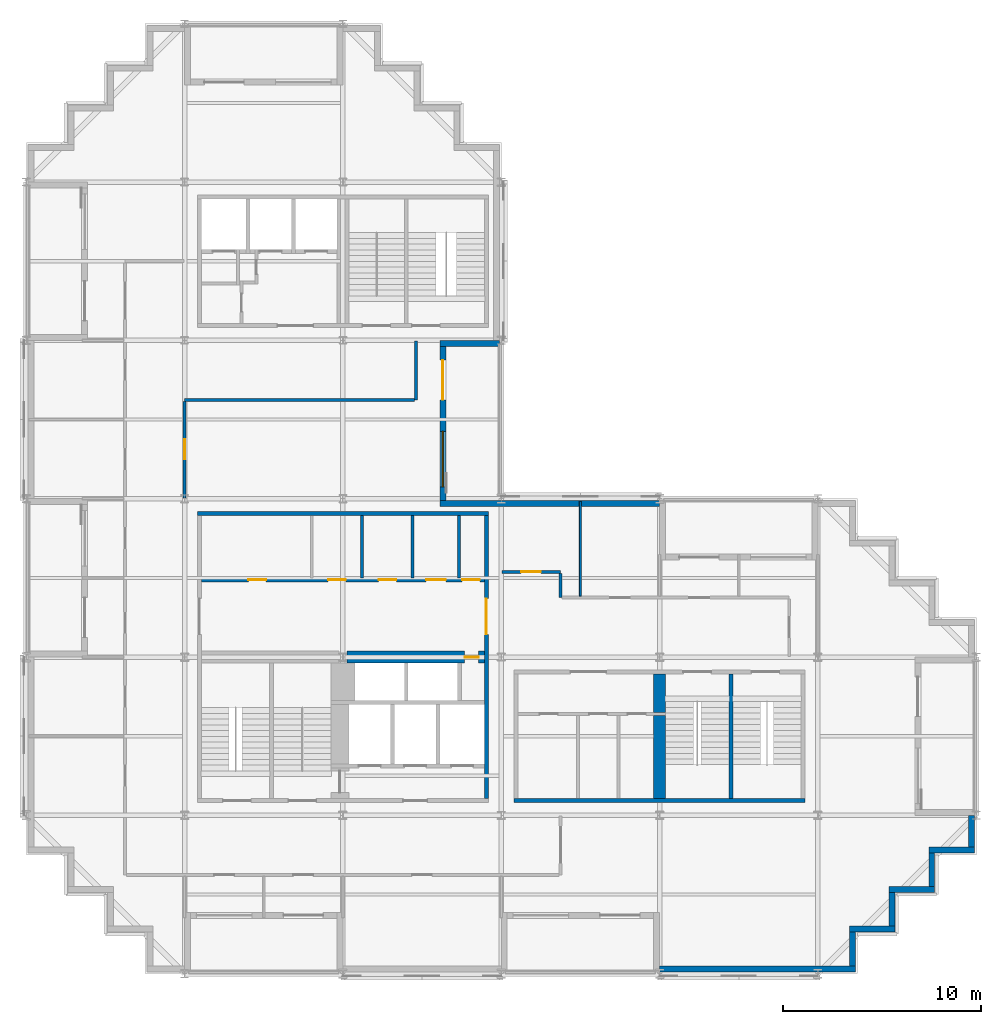
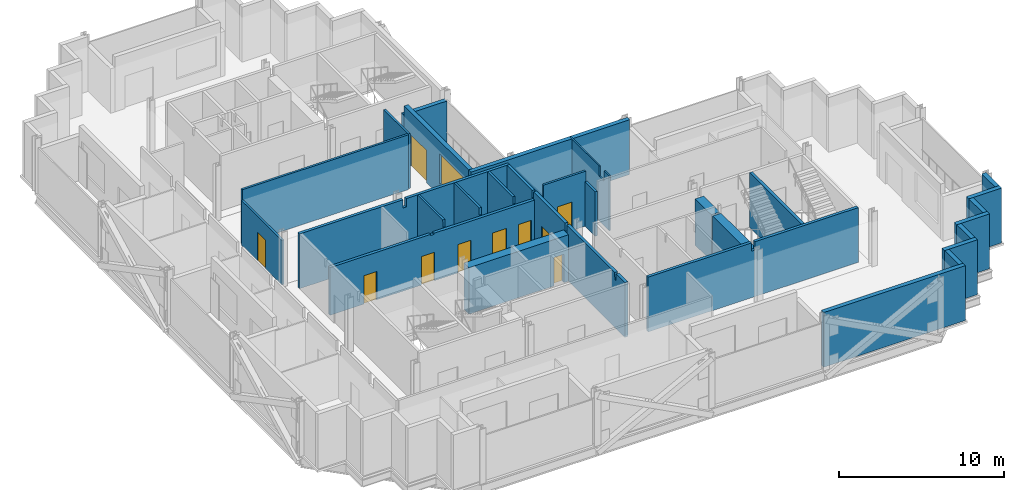
# One storey, part 6 of 11: 28 walls, 10 doors, 1 window, 11 openings.
"""IFC4 building model written with IfcOpenShell, lengths in metres."""

from ifc_helpers import new_model, si_unit, direction, frame, frame_2d, origin, place, context, subcontext, project, spatial, polyline, rectangle, outline, extrude, material, layer, layer_set, type_object, element, fill, save


model = new_model("IFC4")

# Units and contexts
model_context = context("Model", 3, precision=1e-05, world=origin(), true_north=direction((0.0, 1.0)))
body_context = subcontext(model_context, "Body", "Model", "MODEL_VIEW")
ifc_project = project(units=[si_unit("LENGTHUNIT", "METRE"), si_unit("AREAUNIT", "SQUARE_METRE"), si_unit("VOLUMEUNIT", "CUBIC_METRE"), si_unit("PLANEANGLEUNIT", "RADIAN"), si_unit("MASSUNIT", "GRAM", prefix="KILO")], contexts=[model_context])

# Site, building, storey
site_placement = place(None, origin())
site = spatial("IfcSite", under=ifc_project, at=site_placement, CompositionType="ELEMENT")
building_placement = place(site_placement, origin())
building = spatial("IfcBuilding", under=site, at=building_placement, Name="Immortelle Media Tower", CompositionType="ELEMENT")
storey_placement = place(building_placement, frame((0.0, 0.0, 141.0)))
storey = spatial("IfcBuildingStorey", under=building, at=storey_placement, Name="L28", CompositionType="ELEMENT", Elevation=141.0)

# Wall, opening, door
ifc_material_1 = material(Name="Fire-rated masonry blockwork", Category="masonry")
ifc_layer_1 = layer(ifc_material_1, 0.60009765625)
ifc_layer_set_1 = layer_set([ifc_layer_1], Name="Fire-rated masonry blockwork")
wall_type_1 = type_object("IfcWallType", Name="Core grid-line wall 600", PredefinedType="PARTITIONING", material=ifc_layer_set_1)
wall_1_placement = place(storey_placement, frame((16.21044921875, 16.0, 0.0), z_axis=(0.0, 0.0, 1.0), x_axis=(1.0, 0.0, 0.0)))
wall_1 = element("IfcWall", 1, at=wall_1_placement, inside=storey, type_object=wall_type_1, Name="Core grid-line wall SW", PredefinedType="PARTITIONING", context=body_context, shape_type="SweptSolid", body=[
    extrude(rectangle(XDim=6.939453125, YDim=0.60009765625, at=frame_2d((3.4697265625, 0.0))), origin(), (0.0, 0.0, 1.0), 3.431884765625),
])
opening_1_placement = place(wall_1_placement, frame((6.639404296875, 0.0, 0.0), z_axis=(0.0, 0.0, 1.0), x_axis=(-1.0, 0.0, 0.0)))
opening_1 = element("IfcOpeningElement", 2, at=opening_1_placement, cuts=wall_1, Name="Opening C2-K014", PredefinedType="OPENING", context=body_context, shape_type="SweptSolid", body=[
    extrude(rectangle(XDim=0.699951171875, YDim=2.10009765625, at=frame_2d((0.35009765625, 1.050048828125))), frame((0.0, 0.31005859375, 0.0), z_axis=(0.0, -1.0, 0.0), x_axis=(1.0, 0.0, 0.0)), (0.0, 0.0, 1.0), 0.6201171875),
])
ifc_material_2 = material(Name="Galvanised steel door leaf and frame ASTM A653", Category="steel")
door_type_1 = type_object("IfcDoorType", Name="Service door 700 x 2100", OperationType="NOTDEFINED", PredefinedType="NOTDEFINED", material=ifc_material_2)
door_1_placement = place(opening_1_placement, origin())
door_1 = element("IfcDoor", 3, at=door_1_placement, inside=storey, type_object=door_type_1, Name="Service C2-K014", OperationType="SINGLE_SWING_RIGHT", OverallHeight=2.10009765625, OverallWidth=0.699951171875, PredefinedType="NOTDEFINED", context=body_context, shape_type="SweptSolid", body=[
    extrude(rectangle(XDim=0.699951171875, YDim=2.10009765625, at=frame_2d((0.35009765625, 1.050048828125))), frame((0.0, 0.02490234375, 0.0), z_axis=(0.0, -1.0, 0.0), x_axis=(1.0, 0.0, 0.0)), (0.0, 0.0, 1.0), 0.050048828125),
])
fill(opening_1, door_1)

# Walls
ifc_material_3 = material(Name="Fire-rated gypsum board", Category="gypsum")
ifc_layer_2 = layer(ifc_material_3, 0.02490234375)
ifc_material_4 = material(Name="Steel ASTM A653 SS Gr 50 stud frame with mineral wool", Category="steel")
ifc_layer_3 = layer(ifc_material_4, 0.10009765625)
ifc_layer_4 = layer(ifc_material_3, 0.02490234375)
ifc_layer_set_2 = layer_set([ifc_layer_2, ifc_layer_3, ifc_layer_4], Name="Steel ASTM A653 SS Gr 50 stud frame with mineral wool")
wall_type_2 = type_object("IfcWallType", Name="Core partition 150", PredefinedType="PARTITIONING", material=ifc_layer_set_2)
for number, where, z_axis, x_axis, name in (
    (4, (16.97509765625, 20.0, 0.0), (0.0, 0.0, 1.0), (0.0, 1.0, 0.0), "Core partition SW"),
    (5, (19.52490234375, 20.0, 0.0), (0.0, 0.0, 1.0), (0.0, 1.0, 0.0), "Core partition SW"),
    (6, (21.875, 20.0, 0.0), (0.0, 0.0, 1.0), (0.0, 1.0, 0.0), "Core partition SW"),
):
    element("IfcWall", number, at=place(storey_placement, frame(where, z_axis=z_axis, x_axis=x_axis)), inside=storey, type_object=wall_type_2, Name=name, PredefinedType="PARTITIONING", context=body_context, shape_type="SweptSolid", body=[
        extrude(outline(polyline([(0.0, 0.0), (3.14990234375, 0.0), (3.14990234375, 4.050048828125), (0.08740234375, 4.050048828125), (0.08642578125, 3.51806640625), (0.0, 3.51806640625), (0.0, 0.0)])), frame((0.0, 0.074951171875, 0.0), z_axis=(0.0, -1.0, 0.0), x_axis=(1.0, 0.0, 0.0)), (0.0, 0.0, 1.0), 0.14990234375),
    ])
ifc_layer_5 = layer(ifc_material_3, 0.03759765625)
ifc_layer_6 = layer(ifc_material_4, 0.125)
ifc_layer_7 = layer(ifc_material_3, 0.03759765625)
ifc_layer_set_3 = layer_set([ifc_layer_5, ifc_layer_6, ifc_layer_7], Name="Steel ASTM A653 SS Gr 50 stud frame with mineral wool")
wall_type_3 = type_object("IfcWallType", Name="Core shaft wall 200", PredefinedType="PARTITIONING", material=ifc_layer_set_3)
wall_2_placement = place(storey_placement, frame((8.64990234375, 23.25, 0.0), z_axis=(0.0, 0.0, 1.0), x_axis=(1.0, 0.0, 0.0)))
element("IfcWall", 7, at=wall_2_placement, inside=storey, type_object=wall_type_3, Name="Core shaft wall SW", PredefinedType="PARTITIONING", context=body_context, shape_type="SweptSolid", body=[
    extrude(outline(polyline([(0.0, 0.0), (14.7001953125, 0.0), (14.699951171875, 4.050048828125), (7.469482421875, 4.050048828125), (7.468505859375, 3.431884765625), (7.2314453125, 3.431884765625), (7.23046875, 4.050048828125), (0.0, 4.050048828125), (0.0, 0.0)])), frame((0.0, 0.10009765625, 0.0), z_axis=(0.0, -1.0, 0.0), x_axis=(1.0, 0.0, 0.0)), (0.0, 0.0, 1.0), 0.199951171875),
])

# Wall, openings, doors
wall_3_placement = place(storey_placement, frame((8.85009765625, 19.89990234375, 0.0), z_axis=(0.0, 0.0, 1.0), x_axis=(1.0, 0.0, 0.0)))
wall_3 = element("IfcWall", 8, at=wall_3_placement, inside=storey, type_object=wall_type_3, Name="Core shaft wall SW", PredefinedType="PARTITIONING", context=body_context, shape_type="SweptSolid", body=[
    extrude(outline(polyline([(0.0, 0.0), (14.2998046875, 0.0), (14.300048828125, 3.51806640625), (7.26953125, 3.51806640625), (7.2685546875, 3.431884765625), (7.031494140625, 3.431884765625), (7.030517578125, 3.51806640625), (0.0, 3.51806640625), (0.0, 0.0)])), frame((0.0, 0.10009765625, 0.0), z_axis=(0.0, -1.0, 0.0), x_axis=(1.0, 0.0, 0.0)), (0.0, 0.0, 1.0), 0.199951171875),
])
opening_2_placement = place(wall_3_placement, frame((2.375, 0.0, 0.0)))
opening_2 = element("IfcOpeningElement", 9, at=opening_2_placement, cuts=wall_3, Name="Opening C2-K003", PredefinedType="OPENING", context=body_context, shape_type="SweptSolid", body=[
    extrude(rectangle(XDim=0.89990234375, YDim=2.10009765625, at=frame_2d((0.449951171875, 1.050048828125))), frame((0.0, 0.10986328125, 0.0), z_axis=(0.0, -1.0, 0.0), x_axis=(1.0, 0.0, 0.0)), (0.0, 0.0, 1.0), 0.219970703125),
])
opening_3_placement = place(wall_3_placement, frame((6.39990234375, 0.0, 0.0)))
opening_3 = element("IfcOpeningElement", 10, at=opening_3_placement, cuts=wall_3, Name="Opening C2-K005", PredefinedType="OPENING", context=body_context, shape_type="SweptSolid", body=[
    extrude(rectangle(XDim=0.89990234375, YDim=2.10009765625, at=frame_2d((0.449951171875, 1.050048828125))), frame((0.0, 0.10986328125, 0.0), z_axis=(0.0, -1.0, 0.0), x_axis=(1.0, 0.0, 0.0)), (0.0, 0.0, 1.0), 0.219970703125),
])
opening_4_placement = place(wall_3_placement, frame((8.949951171875, 0.0, 0.0)))
opening_4 = element("IfcOpeningElement", 11, at=opening_4_placement, cuts=wall_3, Name="Opening C2-K008", PredefinedType="OPENING", context=body_context, shape_type="SweptSolid", body=[
    extrude(rectangle(XDim=0.89990234375, YDim=2.10009765625, at=frame_2d((0.449951171875, 1.050048828125))), frame((0.0, 0.10986328125, 0.0), z_axis=(0.0, -1.0, 0.0), x_axis=(1.0, 0.0, 0.0)), (0.0, 0.0, 1.0), 0.219970703125),
])
opening_5_placement = place(wall_3_placement, frame((11.35009765625, 0.0, 0.0)))
opening_5 = element("IfcOpeningElement", 12, at=opening_5_placement, cuts=wall_3, Name="Opening C2-K011", PredefinedType="OPENING", context=body_context, shape_type="SweptSolid", body=[
    extrude(rectangle(XDim=1.0, YDim=2.10009765625, at=frame_2d((0.5, 1.050048828125))), frame((0.0, 0.10986328125, 0.0), z_axis=(0.0, -1.0, 0.0), x_axis=(1.0, 0.0, 0.0)), (0.0, 0.0, 1.0), 0.219970703125),
])
opening_6_placement = place(wall_3_placement, frame((13.175048828125, 0.0, 0.0)))
opening_6 = element("IfcOpeningElement", 13, at=opening_6_placement, cuts=wall_3, Name="Opening C2-K013", PredefinedType="OPENING", context=body_context, shape_type="SweptSolid", body=[
    extrude(rectangle(XDim=0.89990234375, YDim=2.10009765625, at=frame_2d((0.449951171875, 1.050048828125))), frame((0.0, 0.10986328125, 0.0), z_axis=(0.0, -1.0, 0.0), x_axis=(1.0, 0.0, 0.0)), (0.0, 0.0, 1.0), 0.219970703125),
])
ifc_material_5 = material(Name="Timber", Category="wood")
door_type_2 = type_object("IfcDoorType", Name="Accessible toilet door 1000 x 2100", OperationType="NOTDEFINED", PredefinedType="NOTDEFINED", material=ifc_material_5)
door_2_placement = place(opening_5_placement, origin())
door_2 = element("IfcDoor", 14, at=door_2_placement, inside=storey, type_object=door_type_2, Name="Accessible toilet C2-K011", OperationType="SINGLE_SWING_RIGHT", OverallHeight=2.10009765625, OverallWidth=1.0, PredefinedType="NOTDEFINED", context=body_context, shape_type="SweptSolid", body=[
    extrude(rectangle(XDim=1.0, YDim=2.10009765625, at=frame_2d((0.5, 1.050048828125))), frame((0.0, 0.02490234375, 0.0), z_axis=(0.0, -1.0, 0.0), x_axis=(1.0, 0.0, 0.0)), (0.0, 0.0, 1.0), 0.050048828125),
])
fill(opening_5, door_2)
door_type_3 = type_object("IfcDoorType", Name="Room door 900 x 2100", OperationType="NOTDEFINED", PredefinedType="NOTDEFINED", material=ifc_material_5)
door_3_placement = place(opening_2_placement, origin())
door_3 = element("IfcDoor", 15, at=door_3_placement, inside=storey, type_object=door_type_3, Name="Room C2-K003", OperationType="SINGLE_SWING_RIGHT", OverallHeight=2.10009765625, OverallWidth=0.89990234375, PredefinedType="NOTDEFINED", context=body_context, shape_type="SweptSolid", body=[
    extrude(rectangle(XDim=0.89990234375, YDim=2.10009765625, at=frame_2d((0.449951171875, 1.050048828125))), frame((0.0, 0.02490234375, 0.0), z_axis=(0.0, -1.0, 0.0), x_axis=(1.0, 0.0, 0.0)), (0.0, 0.0, 1.0), 0.050048828125),
])
fill(opening_2, door_3)
door_type_4 = type_object("IfcDoorType", Name="Service door 900 x 2100", OperationType="NOTDEFINED", PredefinedType="NOTDEFINED", material=ifc_material_2)
door_4_placement = place(opening_6_placement, origin())
door_4 = element("IfcDoor", 16, at=door_4_placement, inside=storey, type_object=door_type_4, Name="Service C2-K013", OperationType="SINGLE_SWING_LEFT", OverallHeight=2.10009765625, OverallWidth=0.89990234375, PredefinedType="NOTDEFINED", context=body_context, shape_type="SweptSolid", body=[
    extrude(rectangle(XDim=0.89990234375, YDim=2.10009765625, at=frame_2d((0.449951171875, 1.050048828125))), frame((0.0, 0.02490234375, 0.0), z_axis=(0.0, -1.0, 0.0), x_axis=(1.0, 0.0, 0.0)), (0.0, 0.0, 1.0), 0.050048828125),
])
fill(opening_6, door_4)
door_type_5 = type_object("IfcDoorType", Name="Toilet door 900 x 2100", OperationType="NOTDEFINED", PredefinedType="NOTDEFINED", material=ifc_material_5)
door_5_placement = place(opening_3_placement, origin())
door_5 = element("IfcDoor", 17, at=door_5_placement, inside=storey, type_object=door_type_5, Name="Toilet C2-K005", OperationType="SINGLE_SWING_LEFT", OverallHeight=2.10009765625, OverallWidth=0.89990234375, PredefinedType="NOTDEFINED", context=body_context, shape_type="SweptSolid", body=[
    extrude(rectangle(XDim=0.89990234375, YDim=2.10009765625, at=frame_2d((0.449951171875, 1.050048828125))), frame((0.0, 0.02490234375, 0.0), z_axis=(0.0, -1.0, 0.0), x_axis=(1.0, 0.0, 0.0)), (0.0, 0.0, 1.0), 0.050048828125),
])
fill(opening_3, door_5)
door_6_placement = place(opening_4_placement, origin())
door_6 = element("IfcDoor", 18, at=door_6_placement, inside=storey, type_object=door_type_5, Name="Toilet C2-K008", OperationType="SINGLE_SWING_RIGHT", OverallHeight=2.10009765625, OverallWidth=0.89990234375, PredefinedType="NOTDEFINED", context=body_context, shape_type="SweptSolid", body=[
    extrude(rectangle(XDim=0.89990234375, YDim=2.10009765625, at=frame_2d((0.449951171875, 1.050048828125))), frame((0.0, 0.02490234375, 0.0), z_axis=(0.0, -1.0, 0.0), x_axis=(1.0, 0.0, 0.0)), (0.0, 0.0, 1.0), 0.050048828125),
])
fill(opening_4, door_6)

# Wall, opening, door
wall_4_placement = place(storey_placement, frame((23.25, 8.85009765625, 0.0), z_axis=(0.0, 0.0, 1.0), x_axis=(0.0, 1.0, 0.0)))
wall_4 = element("IfcWall", 19, at=wall_4_placement, inside=storey, type_object=wall_type_3, Name="Core shaft wall SW", PredefinedType="PARTITIONING", context=body_context, shape_type="SweptSolid", body=[
    extrude(outline(polyline([(0.0, 0.0), (14.2998046875, 0.0), (14.300048828125, 4.050048828125), (11.237548828125, 4.050048828125), (11.236572265625, 3.51806640625), (11.0634765625, 3.51806640625), (11.0625, 4.050048828125), (7.26953125, 4.050048828125), (7.2685546875, 3.431884765625), (7.031494140625, 3.431884765625), (7.030517578125, 4.050048828125), (1.237548828125, 4.050048828125), (1.236572265625, 3.51806640625), (1.0634765625, 3.51806640625), (1.0625, 4.050048828125), (0.0, 4.050048828125), (0.0, 0.0)])), frame((0.0, 0.10009765625, 0.0), z_axis=(0.0, -1.0, 0.0), x_axis=(1.0, 0.0, 0.0)), (0.0, 0.0, 1.0), 0.199951171875),
])
opening_7_placement = place(wall_4_placement, frame((8.300048828125, 0.0, 0.0)))
opening_7 = element("IfcOpeningElement", 20, at=opening_7_placement, cuts=wall_4, Name="Opening C2-K015", PredefinedType="OPENING", context=body_context, shape_type="SweptSolid", body=[
    extrude(rectangle(XDim=1.800048828125, YDim=2.10009765625, at=frame_2d((0.89990234375, 1.050048828125))), frame((0.0, 0.10986328125, 0.0), z_axis=(0.0, -1.0, 0.0), x_axis=(1.0, 0.0, 0.0)), (0.0, 0.0, 1.0), 0.219970703125),
])
door_type_6 = type_object("IfcDoorType", Name="Lift lobby door 1800 x 2100", OperationType="DOUBLE_DOOR_SINGLE_SWING", PredefinedType="NOTDEFINED", material=ifc_material_2)
door_7_placement = place(opening_7_placement, origin())
door_7 = element("IfcDoor", 21, at=door_7_placement, inside=storey, type_object=door_type_6, Name="Lift lobby C2-K015", OperationType="DOUBLE_DOOR_SINGLE_SWING", OverallHeight=2.10009765625, OverallWidth=1.800048828125, PredefinedType="NOTDEFINED", context=body_context, shape_type="SweptSolid", body=[
    extrude(rectangle(XDim=1.800048828125, YDim=2.10009765625, at=frame_2d((0.89990234375, 1.050048828125))), frame((0.0, 0.02490234375, 0.0), z_axis=(0.0, -1.0, 0.0), x_axis=(1.0, 0.0, 0.0)), (0.0, 0.0, 1.0), 0.050048828125),
])
fill(opening_7, door_7)

# Wall
ifc_layer_8 = layer(ifc_material_3, 0.012451171875)
ifc_layer_9 = layer(ifc_material_4, 0.125)
ifc_layer_10 = layer(ifc_material_3, 0.012451171875)
ifc_layer_set_4 = layer_set([ifc_layer_8, ifc_layer_9, ifc_layer_10], Name="Steel ASTM A653 SS Gr 50 stud frame with mineral wool")
wall_type_4 = type_object("IfcWallType", Name="Corridor wall 150", PredefinedType="PARTITIONING", material=ifc_layer_set_4)
wall_5_placement = place(storey_placement, frame((27.0, 19.0, 0.0), z_axis=(0.0, 0.0, 1.0), x_axis=(0.0, 1.0, 0.0)))
element("IfcWall", 22, at=wall_5_placement, inside=storey, type_object=wall_type_4, Name="Partition L28-013", PredefinedType="PARTITIONING", context=body_context, shape_type="SweptSolid", body=[
    extrude(rectangle(XDim=1.22509765625, YDim=0.14990234375, at=frame_2d((0.612548828125, 0.0))), origin(), (0.0, 0.0, 1.0), 3.2880859375),
])

# Wall, opening, door
wall_6_placement = place(storey_placement, frame((24.030029296875, 20.300048828125, 0.0), z_axis=(0.0, 0.0, 1.0), x_axis=(1.0, 0.0, 0.0)))
wall_6 = element("IfcWall", 23, at=wall_6_placement, inside=storey, type_object=wall_type_4, Name="Partition L28-018", PredefinedType="PARTITIONING", context=body_context, shape_type="SweptSolid", body=[
    extrude(rectangle(XDim=2.969970703125, YDim=0.14990234375, at=frame_2d((1.48486328125, 0.0))), origin(), (0.0, 0.0, 1.0), 4.050048828125),
])
opening_8_placement = place(wall_6_placement, frame((0.969970703125, 0.0, 0.0)))
opening_8 = element("IfcOpeningElement", 24, at=opening_8_placement, cuts=wall_6, Name="Opening C2-F011", PredefinedType="OPENING", context=body_context, shape_type="SweptSolid", body=[
    extrude(rectangle(XDim=1.0, YDim=2.10009765625, at=frame_2d((0.5, 1.050048828125))), frame((0.0, 0.0849609375, 0.0), z_axis=(0.0, -1.0, 0.0), x_axis=(1.0, 0.0, 0.0)), (0.0, 0.0, 1.0), 0.169921875),
])
ifc_material_6 = material(Name="Timber veneered door leaf, galvanised steel frame ASTM A653", Category="steel")
door_type_7 = type_object("IfcDoorType", Name="Room door 1000 x 2100", OperationType="NOTDEFINED", PredefinedType="DOOR", material=ifc_material_6)
door_8_placement = place(opening_8_placement, origin())
door_8 = element("IfcDoor", 25, at=door_8_placement, inside=storey, type_object=door_type_7, Name="Door C2-F011", OperationType="SINGLE_SWING_LEFT", OverallHeight=2.10009765625, OverallWidth=1.0, PredefinedType="DOOR", context=body_context, shape_type="SweptSolid", body=[
    extrude(rectangle(XDim=1.0, YDim=2.10009765625, at=frame_2d((0.5, 1.050048828125))), frame((0.0, 0.02490234375, 0.0), z_axis=(0.0, -1.0, 0.0), x_axis=(1.0, 0.0, 0.0)), (0.0, 0.0, 1.0), 0.050048828125),
])
fill(opening_8, door_8)

wall_7_placement = place(storey_placement, frame((8.0, 24.030029296875, 0.0), z_axis=(0.0, 0.0, 1.0), x_axis=(0.0, 1.0, 0.0)))
wall_7 = element("IfcWall", 26, at=wall_7_placement, inside=storey, type_object=wall_type_4, Name="Partition L28-020", PredefinedType="PARTITIONING", context=body_context, shape_type="SweptSolid", body=[
    extrude(rectangle(XDim=4.89501953125, YDim=0.14990234375, at=frame_2d((2.447509765625, 0.0))), origin(), (0.0, 0.0, 1.0), 3.2880859375),
])
opening_9_placement = place(wall_7_placement, frame((2.969970703125, 0.0, 0.0), z_axis=(0.0, 0.0, 1.0), x_axis=(-1.0, 0.0, 0.0)))
opening_9 = element("IfcOpeningElement", 27, at=opening_9_placement, cuts=wall_7, Name="Opening C2-F013", PredefinedType="OPENING", context=body_context, shape_type="SweptSolid", body=[
    extrude(rectangle(XDim=1.0, YDim=2.10009765625, at=frame_2d((0.5, 1.050048828125))), frame((0.0, 0.0849609375, 0.0), z_axis=(0.0, -1.0, 0.0), x_axis=(1.0, 0.0, 0.0)), (0.0, 0.0, 1.0), 0.169921875),
])
door_9_placement = place(opening_9_placement, origin())
door_9 = element("IfcDoor", 28, at=door_9_placement, inside=storey, type_object=door_type_7, Name="Door C2-F013", OperationType="SINGLE_SWING_RIGHT", OverallHeight=2.10009765625, OverallWidth=1.0, PredefinedType="DOOR", context=body_context, shape_type="SweptSolid", body=[
    extrude(rectangle(XDim=1.0, YDim=2.10009765625, at=frame_2d((0.5, 1.050048828125))), frame((0.0, 0.02490234375, 0.0), z_axis=(0.0, -1.0, 0.0), x_axis=(1.0, 0.0, 0.0)), (0.0, 0.0, 1.0), 0.050048828125),
])
fill(opening_9, door_9)

# Walls
wall_8_placement = place(storey_placement, frame((8.0, 29.0, 0.0), z_axis=(0.0, 0.0, 1.0), x_axis=(1.0, 0.0, 0.0)))
element("IfcWall", 29, at=wall_8_placement, inside=storey, type_object=wall_type_4, Name="Partition L28-022", PredefinedType="PARTITIONING", context=body_context, shape_type="SweptSolid", body=[
    extrude(rectangle(XDim=11.625, YDim=0.14990234375, at=frame_2d((5.8125, 0.0))), origin(), (0.0, 0.0, 1.0), 4.050048828125),
])
wall_9_placement = place(storey_placement, frame((19.699951171875, 29.0, 0.0), z_axis=(0.0, 0.0, 1.0), x_axis=(0.0, 1.0, 0.0)))
element("IfcWall", 30, at=wall_9_placement, inside=storey, type_object=wall_type_4, Name="Partition L28-023", PredefinedType="PARTITIONING", context=body_context, shape_type="SweptSolid", body=[
    extrude(rectangle(XDim=2.969970703125, YDim=0.14990234375, at=frame_2d((1.48486328125, 0.0))), origin(), (0.0, 0.0, 1.0), 4.050048828125),
])
ifc_material_7 = material(Name="Pale aluminium cladding panel", Category="aluminium")
ifc_layer_11 = layer(ifc_material_7, 0.030029296875)
ifc_layer_12 = layer(ifc_material_4, 0.257568359375)
ifc_material_8 = material(Name="Moisture-resistant gypsum board", Category="gypsum")
ifc_layer_13 = layer(ifc_material_8, 0.012451171875)
ifc_layer_set_5 = layer_set([ifc_layer_11, ifc_layer_12, ifc_layer_13], Name="Steel ASTM A653 SS Gr 50 stud frame with mineral wool")
wall_type_5 = type_object("IfcWallType", Name="Facade wall 300", PredefinedType="SOLIDWALL", material=ifc_layer_set_5)
wall_10_placement = place(storey_placement, frame((32.0, 0.25, 0.0), z_axis=(0.0, 0.0, 1.0), x_axis=(1.0, 0.0, 0.0)))
element("IfcWall", 31, at=wall_10_placement, inside=storey, type_object=wall_type_5, Name="Facade wall L28 S6", PredefinedType="SOLIDWALL", context=body_context, shape_type="SweptSolid", body=[
    extrude(rectangle(XDim=9.89990234375, YDim=0.300048828125, at=frame_2d((4.949951171875, 0.0))), origin(), (0.0, 0.0, 1.0), 4.050048828125),
])
wall_11_placement = place(storey_placement, frame((41.75, 0.39990234375, 0.0), z_axis=(0.0, 0.0, 1.0), x_axis=(0.0, 1.0, 0.0)))
element("IfcWall", 32, at=wall_11_placement, inside=storey, type_object=wall_type_5, Name="Facade wall L28 E7", PredefinedType="SOLIDWALL", context=body_context, shape_type="SweptSolid", body=[
    extrude(rectangle(XDim=1.7001953125, YDim=0.300048828125, at=frame_2d((0.85009765625, 0.0))), origin(), (0.0, 0.0, 1.0), 4.050048828125),
])
wall_12_placement = place(storey_placement, frame((41.60009765625, 2.25, 0.0), z_axis=(0.0, 0.0, 1.0), x_axis=(1.0, 0.0, 0.0)))
element("IfcWall", 33, at=wall_12_placement, inside=storey, type_object=wall_type_5, Name="Facade wall L28 S8", PredefinedType="SOLIDWALL", context=body_context, shape_type="SweptSolid", body=[
    extrude(rectangle(XDim=2.2998046875, YDim=0.300048828125, at=frame_2d((1.14990234375, 0.0))), origin(), (0.0, 0.0, 1.0), 4.050048828125),
])
wall_13_placement = place(storey_placement, frame((43.75, 2.39990234375, 0.0), z_axis=(0.0, 0.0, 1.0), x_axis=(0.0, 1.0, 0.0)))
element("IfcWall", 34, at=wall_13_placement, inside=storey, type_object=wall_type_5, Name="Facade wall L28 E9", PredefinedType="SOLIDWALL", context=body_context, shape_type="SweptSolid", body=[
    extrude(rectangle(XDim=1.7001953125, YDim=0.300048828125, at=frame_2d((0.85009765625, 0.0))), origin(), (0.0, 0.0, 1.0), 4.050048828125),
])
wall_14_placement = place(storey_placement, frame((43.60009765625, 4.25, 0.0), z_axis=(0.0, 0.0, 1.0), x_axis=(1.0, 0.0, 0.0)))
element("IfcWall", 35, at=wall_14_placement, inside=storey, type_object=wall_type_5, Name="Facade wall L28 S10", PredefinedType="SOLIDWALL", context=body_context, shape_type="SweptSolid", body=[
    extrude(rectangle(XDim=2.2998046875, YDim=0.300048828125, at=frame_2d((1.14990234375, 0.0))), origin(), (0.0, 0.0, 1.0), 4.050048828125),
])
wall_15_placement = place(storey_placement, frame((45.75, 4.39990234375, 0.0), z_axis=(0.0, 0.0, 1.0), x_axis=(0.0, 1.0, 0.0)))
element("IfcWall", 36, at=wall_15_placement, inside=storey, type_object=wall_type_5, Name="Facade wall L28 E11", PredefinedType="SOLIDWALL", context=body_context, shape_type="SweptSolid", body=[
    extrude(rectangle(XDim=1.7001953125, YDim=0.300048828125, at=frame_2d((0.85009765625, 0.0))), origin(), (0.0, 0.0, 1.0), 4.050048828125),
])
wall_16_placement = place(storey_placement, frame((45.60009765625, 6.25, 0.0), z_axis=(0.0, 0.0, 1.0), x_axis=(1.0, 0.0, 0.0)))
element("IfcWall", 37, at=wall_16_placement, inside=storey, type_object=wall_type_5, Name="Facade wall L28 S12", PredefinedType="SOLIDWALL", context=body_context, shape_type="SweptSolid", body=[
    extrude(rectangle(XDim=2.2998046875, YDim=0.300048828125, at=frame_2d((1.14990234375, 0.0))), origin(), (0.0, 0.0, 1.0), 4.050048828125),
])
wall_17_placement = place(storey_placement, frame((47.75, 6.39990234375, 0.0), z_axis=(0.0, 0.0, 1.0), x_axis=(0.0, 1.0, 0.0)))
element("IfcWall", 38, at=wall_17_placement, inside=storey, type_object=wall_type_5, Name="Facade wall L28 E13", PredefinedType="SOLIDWALL", context=body_context, shape_type="SweptSolid", body=[
    extrude(rectangle(XDim=1.60009765625, YDim=0.300048828125, at=frame_2d((0.800048828125, 0.0))), origin(), (0.0, 0.0, 1.0), 4.050048828125),
])
wall_18_placement = place(storey_placement, frame((32.0, 23.75, 0.0), z_axis=(0.0, 0.0, 1.0), x_axis=(-1.0, 0.0, 0.0)))
element("IfcWall", 39, at=wall_18_placement, inside=storey, type_object=wall_type_5, Name="Facade wall L28 N20", PredefinedType="SOLIDWALL", context=body_context, shape_type="SweptSolid", body=[
    extrude(rectangle(XDim=11.10009765625, YDim=0.300048828125, at=frame_2d((5.550048828125, 0.0))), origin(), (0.0, 0.0, 1.0), 4.050048828125),
])

# Wall, openings, door, window
wall_19_placement = place(storey_placement, frame((21.050048828125, 23.89990234375, 0.0), z_axis=(0.0, 0.0, 1.0), x_axis=(0.0, 1.0, 0.0)))
wall_19 = element("IfcWall", 40, at=wall_19_placement, inside=storey, type_object=wall_type_5, Name="Loggia wall L28 E21", PredefinedType="SOLIDWALL", context=body_context, shape_type="SweptSolid", body=[
    extrude(rectangle(XDim=7.800048828125, YDim=0.300048828125, at=frame_2d((3.89990234375, 0.0))), origin(), (0.0, 0.0, 1.0), 4.050048828125),
])
opening_10_placement = place(wall_19_placement, frame((0.699951171875, 0.0, 0.89990234375)))
opening_10 = element("IfcOpeningElement", 41, at=opening_10_placement, cuts=wall_19, Name="Opening W1", PredefinedType="OPENING", context=body_context, shape_type="SweptSolid", body=[
    extrude(rectangle(XDim=2.800048828125, YDim=2.199951171875, at=frame_2d((1.39990234375, 1.10009765625))), frame((0.0, 0.159912109375, 0.0), z_axis=(0.0, -1.0, 0.0), x_axis=(1.0, 0.0, 0.0)), (0.0, 0.0, 1.0), 0.320068359375),
])
opening_11_placement = place(wall_19_placement, frame((5.10009765625, 0.0, 0.0)))
opening_11 = element("IfcOpeningElement", 42, at=opening_11_placement, cuts=wall_19, Name="Opening C2-E005", PredefinedType="OPENING", context=body_context, shape_type="SweptSolid", body=[
    extrude(rectangle(XDim=2.0, YDim=2.39990234375, at=frame_2d((1.0, 1.199951171875))), frame((0.0, 0.159912109375, 0.0), z_axis=(0.0, -1.0, 0.0), x_axis=(1.0, 0.0, 0.0)), (0.0, 0.0, 1.0), 0.320068359375),
])
ifc_material_9 = material(Name="Aluminium frame, glazed leaves", Category="aluminium")
door_type_8 = type_object("IfcDoorType", Name="Loggia door 2000 x 2400", OperationType="DOUBLE_DOOR_SINGLE_SWING", PredefinedType="DOOR", material=ifc_material_9)
door_10_placement = place(opening_11_placement, origin())
door_10 = element("IfcDoor", 43, at=door_10_placement, inside=storey, type_object=door_type_8, Name="Door C2-E005", OperationType="DOUBLE_DOOR_SINGLE_SWING", OverallHeight=2.39990234375, OverallWidth=2.0, PredefinedType="DOOR", context=body_context, shape_type="SweptSolid", body=[
    extrude(rectangle(XDim=2.0, YDim=2.39990234375, at=frame_2d((1.0, 1.199951171875))), frame((0.0, 0.02490234375, 0.0), z_axis=(0.0, -1.0, 0.0), x_axis=(1.0, 0.0, 0.0)), (0.0, 0.0, 1.0), 0.050048828125),
])
fill(opening_11, door_10)
ifc_material_10 = material(Name="Aluminium frame", Category="aluminium")
window_type = type_object("IfcWindowType", Name="Window 2800 x 2200", PartitioningType="SINGLE_PANEL", PredefinedType="WINDOW", material=ifc_material_10)
window_placement = place(opening_10_placement, origin())
window = element("IfcWindow", 44, at=window_placement, inside=storey, type_object=window_type, Name="Window L28 L28-R21-B0", OverallHeight=2.199951171875, OverallWidth=2.800048828125, PartitioningType="SINGLE_PANEL", PredefinedType="WINDOW", context=body_context, shape_type="SweptSolid", body=[
    extrude(rectangle(XDim=2.800048828125, YDim=2.199951171875, at=frame_2d((1.39990234375, 1.10009765625))), frame((0.0, 0.030029296875, 0.0), z_axis=(0.0, -1.0, 0.0), x_axis=(1.0, 0.0, 0.0)), (0.0, 0.0, 1.0), 0.06005859375),
])
fill(opening_10, window)

# Walls
wall_20_placement = place(storey_placement, frame((23.89990234375, 31.85009765625, 0.0), z_axis=(0.0, 0.0, 1.0), x_axis=(-1.0, 0.0, 0.0)))
element("IfcWall", 45, at=wall_20_placement, inside=storey, type_object=wall_type_5, Name="Loggia cheek wall L28 E", PredefinedType="SOLIDWALL", context=body_context, shape_type="SweptSolid", body=[
    extrude(rectangle(XDim=3.0, YDim=0.300048828125, at=frame_2d((1.5, 0.0))), origin(), (0.0, 0.0, 1.0), 3.35595703125),
])
ifc_material_11 = material(Name="Gypsum board", Category="gypsum")
ifc_layer_14 = layer(ifc_material_11, 0.012451171875)
ifc_layer_15 = layer(ifc_material_4, 0.074951171875)
ifc_layer_16 = layer(ifc_material_11, 0.012451171875)
ifc_layer_set_6 = layer_set([ifc_layer_14, ifc_layer_15, ifc_layer_16], Name="Steel ASTM A653 SS Gr 50 stud frame with mineral wool")
wall_type_6 = type_object("IfcWallType", Name="Partition 100", PredefinedType="PARTITIONING", material=ifc_layer_set_6)
wall_21_placement = place(storey_placement, frame((28.0, 19.074951171875, 0.0), z_axis=(0.0, 0.0, 1.0), x_axis=(0.0, 1.0, 0.0)))
element("IfcWall", 46, at=wall_21_placement, inside=storey, type_object=wall_type_6, Name="Partition L28-014", PredefinedType="PARTITIONING", context=body_context, shape_type="SweptSolid", body=[
    extrude(outline(polyline([(0.0, 0.0), (4.795166015625, 0.0), (4.794921875, 4.050048828125), (1.22509765625, 4.050048828125), (1.222900390625, 3.2880859375), (0.626953125, 3.2880859375), (0.625, 4.050048828125), (0.0, 4.050048828125), (0.0, 0.0)])), frame((0.0, 0.050048828125, 0.0), z_axis=(0.0, -1.0, 0.0), x_axis=(1.0, 0.0, 0.0)), (0.0, 0.0, 1.0), 0.10009765625),
])
ifc_material_12 = material(Name="Concrete C60", Category="concrete")
ifc_layer_17 = layer(ifc_material_12, 0.199951171875)
ifc_layer_set_7 = layer_set([ifc_layer_17], Name="Concrete C60")
wall_type_7 = type_object("IfcWallType", Name="Stair shaft wall 200", PredefinedType="PARTITIONING", material=ifc_layer_set_7)
wall_22_placement = place(storey_placement, frame((24.64990234375, 8.75, 0.0), z_axis=(0.0, 0.0, 1.0), x_axis=(1.0, 0.0, 0.0)))
element("IfcWall", 47, at=wall_22_placement, inside=storey, type_object=wall_type_7, Name="Stair shaft wall SE", PredefinedType="PARTITIONING", context=body_context, shape_type="SweptSolid", body=[
    extrude(outline(polyline([(0.0, 0.0), (14.7001953125, 0.0), (14.699951171875, 4.050048828125), (7.469482421875, 4.050048828125), (7.468505859375, 3.431884765625), (7.2314453125, 3.431884765625), (7.23046875, 4.050048828125), (0.0, 4.050048828125), (0.0, 0.0)])), frame((0.0, 0.10009765625, 0.0), z_axis=(0.0, -1.0, 0.0), x_axis=(1.0, 0.0, 0.0)), (0.0, 0.0, 1.0), 0.199951171875),
])
wall_23_placement = place(storey_placement, frame((35.60009765625, 8.85009765625, 0.0), z_axis=(0.0, 0.0, 1.0), x_axis=(0.0, 1.0, 0.0)))
element("IfcWall", 48, at=wall_23_placement, inside=storey, type_object=wall_type_7, Name="Stair shaft wall SE", PredefinedType="PARTITIONING", context=body_context, shape_type="SweptSolid", body=[
    extrude(rectangle(XDim=6.2998046875, YDim=0.199951171875, at=frame_2d((3.14990234375, 0.0))), origin(), (0.0, 0.0, 1.0), 4.050048828125),
])
ifc_layer_18 = layer(ifc_material_12, 0.60009765625)
ifc_layer_set_8 = layer_set([ifc_layer_18], Name="Concrete C60")
wall_type_8 = type_object("IfcWallType", Name="Stair shaft wall 600", PredefinedType="PARTITIONING", material=ifc_layer_set_8)
wall_24_placement = place(storey_placement, frame((32.0, 8.85009765625, 0.0), z_axis=(0.0, 0.0, 1.0), x_axis=(0.0, 1.0, 0.0)))
element("IfcWall", 49, at=wall_24_placement, inside=storey, type_object=wall_type_8, Name="Stair shaft wall SE", PredefinedType="PARTITIONING", context=body_context, shape_type="SweptSolid", body=[
    extrude(rectangle(XDim=4.199951171875, YDim=0.60009765625, at=frame_2d((2.10009765625, 0.0))), origin(), (0.0, 0.0, 1.0), 3.431884765625),
])
wall_25_placement = place(storey_placement, frame((32.0, 13.199951171875, 0.0), z_axis=(0.0, 0.0, 1.0), x_axis=(0.0, 1.0, 0.0)))
element("IfcWall", 50, at=wall_25_placement, inside=storey, type_object=wall_type_8, Name="Stair shaft wall SE", PredefinedType="PARTITIONING", context=body_context, shape_type="SweptSolid", body=[
    extrude(rectangle(XDim=1.949951171875, YDim=0.60009765625, at=frame_2d((0.97509765625, 0.0))), origin(), (0.0, 0.0, 1.0), 3.431884765625),
])

save(model, "model.ifc")
